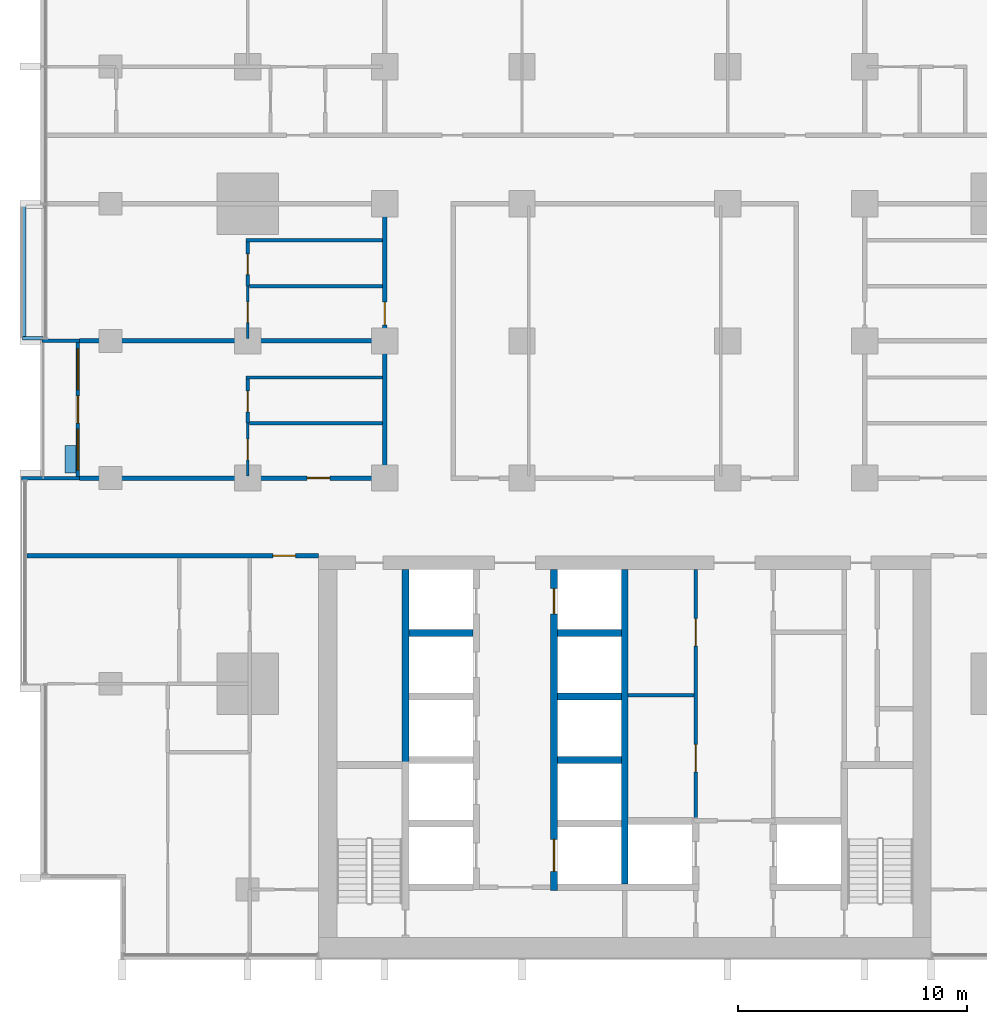
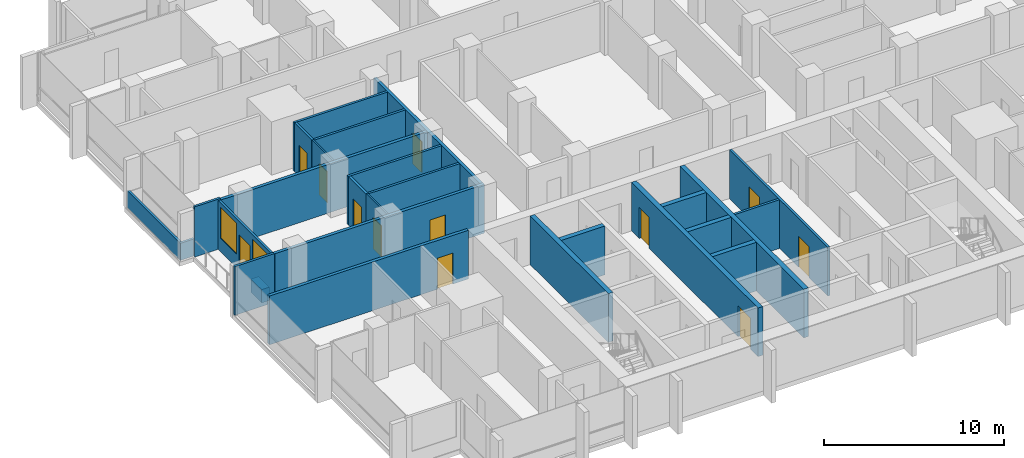
# One storey, part 8 of 17: 27 walls, 12 doors, 2 windows, 14 openings.
"""IFC4 building model written with IfcOpenShell, lengths in metres."""

from ifc_helpers import new_model, si_unit, direction, frame, frame_2d, origin, place, context, subcontext, project, spatial, rectangle, extrude, material, layer, layer_set, type_object, element, fill, save


model = new_model("IFC4")

# Units and contexts
model_context = context("Model", 3, precision=1e-05, world=origin(), true_north=direction((0.0, 1.0)))
body_context = subcontext(model_context, "Body", "Model", "MODEL_VIEW")
ifc_project = project(units=[si_unit("LENGTHUNIT", "METRE"), si_unit("AREAUNIT", "SQUARE_METRE"), si_unit("VOLUMEUNIT", "CUBIC_METRE"), si_unit("PLANEANGLEUNIT", "RADIAN"), si_unit("MASSUNIT", "GRAM", prefix="KILO")], contexts=[model_context])

# Site, building, storey
site_placement = place(None, origin())
site = spatial("IfcSite", under=ifc_project, at=site_placement, CompositionType="ELEMENT")
building_placement = place(site_placement, origin())
building = spatial("IfcBuilding", under=site, at=building_placement, Name="Finial Court Residences", CompositionType="ELEMENT")
storey_placement = place(building_placement, frame((0.0, 0.0, 113.5)))
storey = spatial("IfcBuildingStorey", under=building, at=storey_placement, Name="L28", CompositionType="ELEMENT", Elevation=113.5)

# Walls
ifc_material_1 = material(Name="Gypsum board")
ifc_layer_1 = layer(ifc_material_1, 0.02490234375)
ifc_material_2 = material(Name="Acoustic mineral wool in double frame")
ifc_layer_2 = layer(ifc_material_2, 0.14990234375)
ifc_layer_3 = layer(ifc_material_1, 0.02490234375)
ifc_layer_set_1 = layer_set([ifc_layer_1, ifc_layer_2, ifc_layer_3], Name="Acoustic party wall 200, 1 hour")
wall_type_1 = type_object("IfcWallType", Name="Acoustic party wall 200, 1 hour", PredefinedType="PARTITIONING", material=ifc_layer_set_1)
wall_1_placement = place(storey_placement, frame((-23.85009765625, 1.5, 0.0), z_axis=(0.0, 0.0, 1.0), x_axis=(1.0, 0.0, 0.0)))
element("IfcWall", 1, at=wall_1_placement, inside=storey, type_object=wall_type_1, Name="Partition L28-017", PredefinedType="PARTITIONING", context=body_context, shape_type="SweptSolid", body=[
    extrude(rectangle(XDim=13.25, YDim=0.199951171875, at=frame_2d((6.625, 0.0))), origin(), (0.0, 0.0, 1.0), 3.300048828125),
])
ifc_material_3 = material(Name="Fire-rated gypsum board partition")
ifc_layer_4 = layer(ifc_material_3, 0.14990234375)
ifc_layer_set_2 = layer_set([ifc_layer_4], Name="Core room partition 150 EI 60")
wall_type_2 = type_object("IfcWallType", Name="Core room partition 150 EI 60", PredefinedType="PARTITIONING", material=ifc_layer_set_2)
wall_2_placement = place(storey_placement, frame((0.14990234375, -14.0, 0.0), z_axis=(0.0, 0.0, 1.0), x_axis=(1.0, 0.0, 0.0)))
element("IfcWall", 2, at=wall_2_placement, inside=storey, type_object=wall_type_2, Name="Core partition L28-17", PredefinedType="PARTITIONING", context=body_context, shape_type="SweptSolid", body=[
    extrude(rectangle(XDim=2.875, YDim=0.14990234375, at=frame_2d((1.4375, 0.0))), origin(), (0.0, 0.0, 1.0), 3.300048828125),
])

# Wall, openings, doors
wall_3_placement = place(storey_placement, frame((3.10009765625, -19.39990234375, 0.0), z_axis=(0.0, 0.0, 1.0), x_axis=(0.0, 1.0, 0.0)))
wall_3 = element("IfcWall", 3, at=wall_3_placement, inside=storey, type_object=wall_type_2, Name="Core partition L28-29", PredefinedType="PARTITIONING", context=body_context, shape_type="SweptSolid", body=[
    extrude(rectangle(XDim=10.89990234375, YDim=0.14990234375, at=frame_2d((5.449951171875, 0.0))), origin(), (0.0, 0.0, 1.0), 3.300048828125),
])
opening_1_placement = place(wall_3_placement, frame((2.050048828125, 0.0, 0.0)))
opening_1 = element("IfcOpeningElement", 4, at=opening_1_placement, cuts=wall_3, Name="Opening L28-C12", PredefinedType="OPENING", context=body_context, shape_type="SweptSolid", body=[
    extrude(rectangle(XDim=1.199951171875, YDim=2.10009765625, at=frame_2d((0.60009765625, 1.050048828125))), frame((0.0, 0.0849609375, 0.0), z_axis=(0.0, -1.0, 0.0), x_axis=(1.0, 0.0, 0.0)), (0.0, 0.0, 1.0), 0.169921875),
])
opening_2_placement = place(wall_3_placement, frame((7.550048828125, 0.0, 0.0)))
opening_2 = element("IfcOpeningElement", 5, at=opening_2_placement, cuts=wall_3, Name="Opening L28-C13", PredefinedType="OPENING", context=body_context, shape_type="SweptSolid", body=[
    extrude(rectangle(XDim=1.199951171875, YDim=2.10009765625, at=frame_2d((0.60009765625, 1.050048828125))), frame((0.0, 0.0849609375, 0.0), z_axis=(0.0, -1.0, 0.0), x_axis=(1.0, 0.0, 0.0)), (0.0, 0.0, 1.0), 0.169921875),
])
ifc_material_4 = material(Name="Steel fire door", Category="steel")
door_type_1 = type_object("IfcDoorType", Name="Core room door 1200 x 2100 EI 60", OperationType="NOTDEFINED", PredefinedType="DOOR", material=ifc_material_4)
door_1_placement = place(opening_1_placement, origin())
door_1 = element("IfcDoor", 6, at=door_1_placement, inside=storey, type_object=door_type_1, Name="Core room door L28-C12", OperationType="SINGLE_SWING_LEFT", OverallHeight=2.10009765625, OverallWidth=1.199951171875, PredefinedType="DOOR", context=body_context, shape_type="SweptSolid", body=[
    extrude(rectangle(XDim=1.199951171875, YDim=2.10009765625, at=frame_2d((0.60009765625, 1.050048828125))), frame((0.0, 0.02490234375, 0.0), z_axis=(0.0, -1.0, 0.0), x_axis=(1.0, 0.0, 0.0)), (0.0, 0.0, 1.0), 0.050048828125),
])
fill(opening_1, door_1)
door_2_placement = place(opening_2_placement, origin())
door_2 = element("IfcDoor", 7, at=door_2_placement, inside=storey, type_object=door_type_1, Name="Core room door L28-C13", OperationType="SINGLE_SWING_LEFT", OverallHeight=2.10009765625, OverallWidth=1.199951171875, PredefinedType="DOOR", context=body_context, shape_type="SweptSolid", body=[
    extrude(rectangle(XDim=1.199951171875, YDim=2.10009765625, at=frame_2d((0.60009765625, 1.050048828125))), frame((0.0, 0.02490234375, 0.0), z_axis=(0.0, -1.0, 0.0), x_axis=(1.0, 0.0, 0.0)), (0.0, 0.0, 1.0), 0.050048828125),
])
fill(opening_2, door_2)

# Wall, opening, door
ifc_layer_5 = layer(ifc_material_1, 0.02490234375)
ifc_layer_6 = layer(ifc_material_2, 0.14990234375)
ifc_layer_7 = layer(ifc_material_1, 0.02490234375)
ifc_layer_set_3 = layer_set([ifc_layer_5, ifc_layer_6, ifc_layer_7], Name="Corridor wall 200, 1 hour")
wall_type_3 = type_object("IfcWallType", Name="Corridor wall 200, 1 hour", PredefinedType="PARTITIONING", material=ifc_layer_set_3)
wall_4_placement = place(storey_placement, frame((-26.14990234375, -7.89990234375, 0.0), z_axis=(0.0, 0.0, 1.0), x_axis=(1.0, 0.0, 0.0)))
wall_4 = element("IfcWall", 8, at=wall_4_placement, inside=storey, type_object=wall_type_3, Name="Partition L28-008", PredefinedType="PARTITIONING", context=body_context, shape_type="SweptSolid", body=[
    extrude(rectangle(XDim=12.75, YDim=0.199951171875, at=frame_2d((6.375, 0.0))), origin(), (0.0, 0.0, 1.0), 3.300048828125),
])
opening_3_placement = place(wall_4_placement, frame((10.75, 0.0, 0.0)))
opening_3 = element("IfcOpeningElement", 9, at=opening_3_placement, cuts=wall_4, Name="Opening L28-D005", PredefinedType="OPENING", context=body_context, shape_type="SweptSolid", body=[
    extrude(rectangle(XDim=1.0, YDim=2.10009765625, at=frame_2d((0.5, 1.050048828125))), frame((0.0, 0.10986328125, 0.0), z_axis=(0.0, -1.0, 0.0), x_axis=(1.0, 0.0, 0.0)), (0.0, 0.0, 1.0), 0.219970703125),
])
ifc_material_5 = material(Name="Timber door leaf in hollow metal frame", Category="wood")
door_type_2 = type_object("IfcDoorType", Name="Fire door set 1000 x 2100, 30 minutes", OperationType="SINGLE_SWING_LEFT", PredefinedType="DOOR", material=ifc_material_5)
door_3_placement = place(opening_3_placement, origin())
door_3 = element("IfcDoor", 10, at=door_3_placement, inside=storey, type_object=door_type_2, Name="Door L28-D005", OperationType="SINGLE_SWING_RIGHT", OverallHeight=2.10009765625, OverallWidth=1.0, PredefinedType="DOOR", context=body_context, shape_type="SweptSolid", body=[
    extrude(rectangle(XDim=1.0, YDim=2.10009765625, at=frame_2d((0.5, 1.050048828125))), frame((0.0, 0.02490234375, 0.0), z_axis=(0.0, -1.0, 0.0), x_axis=(1.0, 0.0, 0.0)), (0.0, 0.0, 1.0), 0.050048828125),
])
fill(opening_3, door_3)

wall_5_placement = place(storey_placement, frame((-23.85009765625, -4.5, 0.0), z_axis=(0.0, 0.0, 1.0), x_axis=(1.0, 0.0, 0.0)))
wall_5 = element("IfcWall", 11, at=wall_5_placement, inside=storey, type_object=wall_type_3, Name="Partition L28-010", PredefinedType="PARTITIONING", context=body_context, shape_type="SweptSolid", body=[
    extrude(rectangle(XDim=13.4501953125, YDim=0.199951171875, at=frame_2d((6.72509765625, 0.0))), origin(), (0.0, 0.0, 1.0), 3.300048828125),
])
opening_4_placement = place(wall_5_placement, frame((9.949951171875, 0.0, 0.0)))
opening_4 = element("IfcOpeningElement", 12, at=opening_4_placement, cuts=wall_5, Name="Opening L28-D007", PredefinedType="OPENING", context=body_context, shape_type="SweptSolid", body=[
    extrude(rectangle(XDim=1.0, YDim=2.10009765625, at=frame_2d((0.5, 1.050048828125))), frame((0.0, 0.10986328125, 0.0), z_axis=(0.0, -1.0, 0.0), x_axis=(1.0, 0.0, 0.0)), (0.0, 0.0, 1.0), 0.219970703125),
])
door_4_placement = place(opening_4_placement, origin())
door_4 = element("IfcDoor", 13, at=door_4_placement, inside=storey, type_object=door_type_2, Name="Door L28-D007", OperationType="SINGLE_SWING_LEFT", OverallHeight=2.10009765625, OverallWidth=1.0, PredefinedType="DOOR", context=body_context, shape_type="SweptSolid", body=[
    extrude(rectangle(XDim=1.0, YDim=2.10009765625, at=frame_2d((0.5, 1.050048828125))), frame((0.0, 0.02490234375, 0.0), z_axis=(0.0, -1.0, 0.0), x_axis=(1.0, 0.0, 0.0)), (0.0, 0.0, 1.0), 0.050048828125),
])
fill(opening_4, door_4)

wall_6_placement = place(storey_placement, frame((-10.5, -4.39990234375, 0.0), z_axis=(0.0, 0.0, 1.0), x_axis=(0.0, 1.0, 0.0)))
wall_6 = element("IfcWall", 14, at=wall_6_placement, inside=storey, type_object=wall_type_3, Name="Partition L28-051", PredefinedType="PARTITIONING", context=body_context, shape_type="SweptSolid", body=[
    extrude(rectangle(XDim=11.7998046875, YDim=0.199951171875, at=frame_2d((5.89990234375, 0.0))), origin(), (0.0, 0.0, 1.0), 3.300048828125),
])
opening_5_placement = place(wall_6_placement, frame((6.60009765625, 0.0, 0.0)))
opening_5 = element("IfcOpeningElement", 15, at=opening_5_placement, cuts=wall_6, Name="Opening L28-D035", PredefinedType="OPENING", context=body_context, shape_type="SweptSolid", body=[
    extrude(rectangle(XDim=1.0, YDim=2.10009765625, at=frame_2d((0.5, 1.050048828125))), frame((0.0, 0.10986328125, 0.0), z_axis=(0.0, -1.0, 0.0), x_axis=(1.0, 0.0, 0.0)), (0.0, 0.0, 1.0), 0.219970703125),
])
door_5_placement = place(opening_5_placement, origin())
door_5 = element("IfcDoor", 16, at=door_5_placement, inside=storey, type_object=door_type_2, Name="Door L28-D035", OperationType="SINGLE_SWING_LEFT", OverallHeight=2.10009765625, OverallWidth=1.0, PredefinedType="DOOR", context=body_context, shape_type="SweptSolid", body=[
    extrude(rectangle(XDim=1.0, YDim=2.10009765625, at=frame_2d((0.5, 1.050048828125))), frame((0.0, 0.02490234375, 0.0), z_axis=(0.0, -1.0, 0.0), x_axis=(1.0, 0.0, 0.0)), (0.0, 0.0, 1.0), 0.050048828125),
])
fill(opening_5, door_5)

ifc_layer_8 = layer(ifc_material_1, 0.012451171875)
ifc_material_6 = material(Name="Mineral wool in light-gauge frame")
ifc_layer_9 = layer(ifc_material_6, 0.074951171875)
ifc_layer_10 = layer(ifc_material_1, 0.012451171875)
ifc_layer_set_4 = layer_set([ifc_layer_8, ifc_layer_9, ifc_layer_10], Name="Gypsum board partition 100")
wall_type_4 = type_object("IfcWallType", Name="Gypsum board partition 100", PredefinedType="PARTITIONING", material=ifc_layer_set_4)
wall_7_placement = place(storey_placement, frame((-16.5, -4.39990234375, 0.0), z_axis=(0.0, 0.0, 1.0), x_axis=(0.0, 1.0, 0.0)))
wall_7 = element("IfcWall", 17, at=wall_7_placement, inside=storey, type_object=wall_type_4, Name="Partition L28-041", PredefinedType="PARTITIONING", context=body_context, shape_type="SweptSolid", body=[
    extrude(rectangle(XDim=2.2998046875, YDim=0.10009765625, at=frame_2d((1.14990234375, 0.0))), origin(), (0.0, 0.0, 1.0), 3.300048828125),
])
opening_6_placement = place(wall_7_placement, frame((0.699951171875, 0.0, 0.0)))
opening_6 = element("IfcOpeningElement", 18, at=opening_6_placement, cuts=wall_7, Name="Opening L28-D027", PredefinedType="OPENING", context=body_context, shape_type="SweptSolid", body=[
    extrude(rectangle(XDim=0.89990234375, YDim=2.10009765625, at=frame_2d((0.449951171875, 1.050048828125))), frame((0.0, 0.06005859375, 0.0), z_axis=(0.0, -1.0, 0.0), x_axis=(1.0, 0.0, 0.0)), (0.0, 0.0, 1.0), 0.1201171875),
])
ifc_material_7 = material(Name="Timber door leaf in timber frame", Category="wood")
door_type_3 = type_object("IfcDoorType", Name="Door set 900 x 2100", OperationType="SINGLE_SWING_LEFT", PredefinedType="DOOR", material=ifc_material_7)
door_6_placement = place(opening_6_placement, origin())
door_6 = element("IfcDoor", 19, at=door_6_placement, inside=storey, type_object=door_type_3, Name="Door L28-D027", OperationType="SINGLE_SWING_RIGHT", OverallHeight=2.10009765625, OverallWidth=0.89990234375, PredefinedType="DOOR", context=body_context, shape_type="SweptSolid", body=[
    extrude(rectangle(XDim=0.89990234375, YDim=2.10009765625, at=frame_2d((0.449951171875, 1.050048828125))), frame((0.0, 0.02490234375, 0.0), z_axis=(0.0, -1.0, 0.0), x_axis=(1.0, 0.0, 0.0)), (0.0, 0.0, 1.0), 0.050048828125),
])
fill(opening_6, door_6)

wall_8_placement = place(storey_placement, frame((-16.5, 1.60009765625, 0.0), z_axis=(0.0, 0.0, 1.0), x_axis=(0.0, 1.0, 0.0)))
wall_8 = element("IfcWall", 20, at=wall_8_placement, inside=storey, type_object=wall_type_4, Name="Partition L28-042", PredefinedType="PARTITIONING", context=body_context, shape_type="SweptSolid", body=[
    extrude(rectangle(XDim=2.2998046875, YDim=0.10009765625, at=frame_2d((1.14990234375, 0.0))), origin(), (0.0, 0.0, 1.0), 3.300048828125),
])
opening_7_placement = place(wall_8_placement, frame((0.699951171875, 0.0, 0.0)))
opening_7 = element("IfcOpeningElement", 21, at=opening_7_placement, cuts=wall_8, Name="Opening L28-D028", PredefinedType="OPENING", context=body_context, shape_type="SweptSolid", body=[
    extrude(rectangle(XDim=0.89990234375, YDim=2.10009765625, at=frame_2d((0.449951171875, 1.050048828125))), frame((0.0, 0.06005859375, 0.0), z_axis=(0.0, -1.0, 0.0), x_axis=(1.0, 0.0, 0.0)), (0.0, 0.0, 1.0), 0.1201171875),
])
door_7_placement = place(opening_7_placement, origin())
door_7 = element("IfcDoor", 22, at=door_7_placement, inside=storey, type_object=door_type_3, Name="Door L28-D028", OperationType="SINGLE_SWING_RIGHT", OverallHeight=2.10009765625, OverallWidth=0.89990234375, PredefinedType="DOOR", context=body_context, shape_type="SweptSolid", body=[
    extrude(rectangle(XDim=0.89990234375, YDim=2.10009765625, at=frame_2d((0.449951171875, 1.050048828125))), frame((0.0, 0.02490234375, 0.0), z_axis=(0.0, -1.0, 0.0), x_axis=(1.0, 0.0, 0.0)), (0.0, 0.0, 1.0), 0.050048828125),
])
fill(opening_7, door_7)

# Walls
ifc_material_8 = material(Name="Moisture-resistant gypsum board")
ifc_layer_11 = layer(ifc_material_8, 0.012451171875)
ifc_layer_12 = layer(ifc_material_6, 0.125)
ifc_layer_13 = layer(ifc_material_8, 0.012451171875)
ifc_layer_set_5 = layer_set([ifc_layer_11, ifc_layer_12, ifc_layer_13], Name="Gypsum board wet-area partition 150")
wall_type_5 = type_object("IfcWallType", Name="Gypsum board wet-area partition 150", PredefinedType="PARTITIONING", material=ifc_layer_set_5)
wall_9_placement = place(storey_placement, frame((-16.425048828125, -2.10009765625, 0.0), z_axis=(0.0, 0.0, 1.0), x_axis=(1.0, 0.0, 0.0)))
element("IfcWall", 23, at=wall_9_placement, inside=storey, type_object=wall_type_5, Name="Partition L28-013", PredefinedType="PARTITIONING", context=body_context, shape_type="SweptSolid", body=[
    extrude(rectangle(XDim=5.824951171875, YDim=0.14990234375, at=frame_2d((2.91259765625, 0.0))), origin(), (0.0, 0.0, 1.0), 3.300048828125),
])
wall_10_placement = place(storey_placement, frame((-16.574951171875, -0.10009765625, 0.0), z_axis=(0.0, 0.0, 1.0), x_axis=(1.0, 0.0, 0.0)))
element("IfcWall", 24, at=wall_10_placement, inside=storey, type_object=wall_type_5, Name="Partition L28-015", PredefinedType="PARTITIONING", context=body_context, shape_type="SweptSolid", body=[
    extrude(rectangle(XDim=5.974853515625, YDim=0.14990234375, at=frame_2d((2.9873046875, 0.0))), origin(), (0.0, 0.0, 1.0), 3.300048828125),
])
wall_11_placement = place(storey_placement, frame((-16.425048828125, 3.89990234375, 0.0), z_axis=(0.0, 0.0, 1.0), x_axis=(1.0, 0.0, 0.0)))
element("IfcWall", 25, at=wall_11_placement, inside=storey, type_object=wall_type_5, Name="Partition L28-019", PredefinedType="PARTITIONING", context=body_context, shape_type="SweptSolid", body=[
    extrude(rectangle(XDim=5.824951171875, YDim=0.14990234375, at=frame_2d((2.91259765625, 0.0))), origin(), (0.0, 0.0, 1.0), 3.300048828125),
])
wall_12_placement = place(storey_placement, frame((-16.574951171875, 5.89990234375, 0.0), z_axis=(0.0, 0.0, 1.0), x_axis=(1.0, 0.0, 0.0)))
element("IfcWall", 26, at=wall_12_placement, inside=storey, type_object=wall_type_5, Name="Partition L28-021", PredefinedType="PARTITIONING", context=body_context, shape_type="SweptSolid", body=[
    extrude(rectangle(XDim=5.974853515625, YDim=0.14990234375, at=frame_2d((2.9873046875, 0.0))), origin(), (0.0, 0.0, 1.0), 3.300048828125),
])

# Wall, opening, door
wall_13_placement = place(storey_placement, frame((-16.5, -2.10009765625, 0.0), z_axis=(0.0, 0.0, 1.0), x_axis=(0.0, 1.0, 0.0)))
wall_13 = element("IfcWall", 27, at=wall_13_placement, inside=storey, type_object=wall_type_5, Name="Partition L28-044", PredefinedType="PARTITIONING", context=body_context, shape_type="SweptSolid", body=[
    extrude(rectangle(XDim=1.925048828125, YDim=0.14990234375, at=frame_2d((0.96240234375, 0.0))), origin(), (0.0, 0.0, 1.0), 3.300048828125),
])
opening_8_placement = place(wall_13_placement, frame((0.5, 0.0, 0.0)))
opening_8 = element("IfcOpeningElement", 28, at=opening_8_placement, cuts=wall_13, Name="Opening L28-D030", PredefinedType="OPENING", context=body_context, shape_type="SweptSolid", body=[
    extrude(rectangle(XDim=0.89990234375, YDim=2.10009765625, at=frame_2d((0.449951171875, 1.050048828125))), frame((0.0, 0.0849609375, 0.0), z_axis=(0.0, -1.0, 0.0), x_axis=(1.0, 0.0, 0.0)), (0.0, 0.0, 1.0), 0.169921875),
])
door_8_placement = place(opening_8_placement, origin())
door_8 = element("IfcDoor", 29, at=door_8_placement, inside=storey, type_object=door_type_3, Name="Door L28-D030", OperationType="SINGLE_SWING_LEFT", OverallHeight=2.10009765625, OverallWidth=0.89990234375, PredefinedType="DOOR", context=body_context, shape_type="SweptSolid", body=[
    extrude(rectangle(XDim=0.89990234375, YDim=2.10009765625, at=frame_2d((0.449951171875, 1.050048828125))), frame((0.0, 0.02490234375, 0.0), z_axis=(0.0, -1.0, 0.0), x_axis=(1.0, 0.0, 0.0)), (0.0, 0.0, 1.0), 0.050048828125),
])
fill(opening_8, door_8)

wall_14_placement = place(storey_placement, frame((-16.5, 3.89990234375, 0.0), z_axis=(0.0, 0.0, 1.0), x_axis=(0.0, 1.0, 0.0)))
wall_14 = element("IfcWall", 30, at=wall_14_placement, inside=storey, type_object=wall_type_5, Name="Partition L28-045", PredefinedType="PARTITIONING", context=body_context, shape_type="SweptSolid", body=[
    extrude(rectangle(XDim=1.925048828125, YDim=0.14990234375, at=frame_2d((0.96240234375, 0.0))), origin(), (0.0, 0.0, 1.0), 3.300048828125),
])
opening_9_placement = place(wall_14_placement, frame((0.5, 0.0, 0.0)))
opening_9 = element("IfcOpeningElement", 31, at=opening_9_placement, cuts=wall_14, Name="Opening L28-D031", PredefinedType="OPENING", context=body_context, shape_type="SweptSolid", body=[
    extrude(rectangle(XDim=0.89990234375, YDim=2.10009765625, at=frame_2d((0.449951171875, 1.050048828125))), frame((0.0, 0.0849609375, 0.0), z_axis=(0.0, -1.0, 0.0), x_axis=(1.0, 0.0, 0.0)), (0.0, 0.0, 1.0), 0.169921875),
])
door_9_placement = place(opening_9_placement, origin())
door_9 = element("IfcDoor", 32, at=door_9_placement, inside=storey, type_object=door_type_3, Name="Door L28-D031", OperationType="SINGLE_SWING_RIGHT", OverallHeight=2.10009765625, OverallWidth=0.89990234375, PredefinedType="DOOR", context=body_context, shape_type="SweptSolid", body=[
    extrude(rectangle(XDim=0.89990234375, YDim=2.10009765625, at=frame_2d((0.449951171875, 1.050048828125))), frame((0.0, 0.02490234375, 0.0), z_axis=(0.0, -1.0, 0.0), x_axis=(1.0, 0.0, 0.0)), (0.0, 0.0, 1.0), 0.050048828125),
])
fill(opening_9, door_9)

# Walls
ifc_material_9 = material(Name="Concrete C35/45", Category="concrete")
ifc_layer_14 = layer(ifc_material_9, 0.14990234375)
ifc_layer_set_6 = layer_set([ifc_layer_14], Name="Ledge parapet, Concrete C35/45 150")
wall_type_6 = type_object("IfcWallType", Name="Ledge parapet, Concrete C35/45 150", PredefinedType="PARAPET", material=ifc_layer_set_6)
wall_15_placement = place(storey_placement, frame((-25.4599609375, 1.625, 0.0), z_axis=(0.0, 0.0, 1.0), x_axis=(-1.0, 0.0, 0.0)))
element("IfcWall", 33, at=wall_15_placement, inside=storey, type_object=wall_type_6, Name="E-L28-LED1-P1", PredefinedType="PARAPET", context=body_context, shape_type="SweptSolid", body=[
    extrude(rectangle(XDim=0.89013671875, YDim=0.14990234375, at=frame_2d((0.445068359375, 0.0))), origin(), (0.0, 0.0, 1.0), 1.14990234375),
])
wall_16_placement = place(storey_placement, frame((-26.27490234375, 1.699951171875, 0.0), z_axis=(0.0, 0.0, 1.0), x_axis=(0.0, 1.0, 0.0)))
element("IfcWall", 34, at=wall_16_placement, inside=storey, type_object=wall_type_6, Name="E-L28-LED1-P2", PredefinedType="PARAPET", context=body_context, shape_type="SweptSolid", body=[
    extrude(rectangle(XDim=5.75, YDim=0.14990234375, at=frame_2d((2.875, 0.0))), origin(), (0.0, 0.0, 1.0), 1.14990234375),
])
ifc_material_10 = material(Name="Concrete C70/85", Category="concrete")
ifc_layer_15 = layer(ifc_material_10, 0.300048828125)
ifc_layer_set_7 = layer_set([ifc_layer_15], Name="Lift shaft and stair wall 300 Concrete C70/85")
wall_type_7 = type_object("IfcWallType", Name="Lift shaft and stair wall 300 Concrete C70/85", PredefinedType="SHEAR", material=ifc_layer_set_7)
for number, where, z_axis, x_axis, name in (
    (35, (-2.949951171875, -16.840087890625, 0.0), (0.0, 0.0, 1.0), (1.0, 0.0, 0.0), "Core wall L28-13"),
    (36, (-2.949951171875, -14.06005859375, 0.0), (0.0, 0.0, 1.0), (1.0, 0.0, 0.0), "Core wall L28-16"),
    (37, (-9.449951171875, -11.280029296875, 0.0), (0.0, 0.0, 1.0), (1.0, 0.0, 0.0), "Core wall L28-18"),
    (38, (-2.949951171875, -11.280029296875, 0.0), (0.0, 0.0, 1.0), (1.0, 0.0, 0.0), "Core wall L28-19"),
):
    element("IfcWall", number, at=place(storey_placement, frame(where, z_axis=z_axis, x_axis=x_axis)), inside=storey, type_object=wall_type_7, Name=name, PredefinedType="SHEAR", context=body_context, shape_type="SweptSolid", body=[
        extrude(rectangle(XDim=2.800048828125, YDim=0.300048828125, at=frame_2d((1.39990234375, 0.0))), origin(), (0.0, 0.0, 1.0), 3.300048828125),
    ])
wall_17_placement = place(storey_placement, frame((-9.60009765625, -17.199951171875, 0.0), z_axis=(0.0, 0.0, 1.0), x_axis=(0.0, 1.0, 0.0)))
element("IfcWall", 39, at=wall_17_placement, inside=storey, type_object=wall_type_7, Name="Core wall L28-22", PredefinedType="SHEAR", context=body_context, shape_type="SweptSolid", body=[
    extrude(rectangle(XDim=8.699951171875, YDim=0.300048828125, at=frame_2d((4.35009765625, 0.0))), origin(), (0.0, 0.0, 1.0), 3.300048828125),
])

# Wall, openings, doors
wall_18_placement = place(storey_placement, frame((-3.10009765625, -22.550048828125, 0.0), z_axis=(0.0, 0.0, 1.0), x_axis=(0.0, 1.0, 0.0)))
wall_18 = element("IfcWall", 40, at=wall_18_placement, inside=storey, type_object=wall_type_7, Name="Core wall L28-24", PredefinedType="SHEAR", context=body_context, shape_type="SweptSolid", body=[
    extrude(rectangle(XDim=14.050048828125, YDim=0.300048828125, at=frame_2d((7.02490234375, 0.0))), origin(), (0.0, 0.0, 1.0), 3.300048828125),
])
opening_10_placement = place(wall_18_placement, frame((12.110107421875, 0.0, 0.0)))
opening_10 = element("IfcOpeningElement", 41, at=opening_10_placement, cuts=wall_18, Name="Opening L28-LD08", PredefinedType="OPENING", context=body_context, shape_type="SweptSolid", body=[
    extrude(rectangle(XDim=1.10009765625, YDim=2.10009765625, at=frame_2d((0.550048828125, 1.050048828125))), frame((0.0, 0.159912109375, 0.0), z_axis=(0.0, -1.0, 0.0), x_axis=(1.0, 0.0, 0.0)), (0.0, 0.0, 1.0), 0.320068359375),
])
opening_11_placement = place(wall_18_placement, frame((0.840087890625, 0.0, 0.0)))
opening_11 = element("IfcOpeningElement", 42, at=opening_11_placement, cuts=wall_18, Name="Opening L28-LD09", PredefinedType="OPENING", context=body_context, shape_type="SweptSolid", body=[
    extrude(rectangle(XDim=1.39990234375, YDim=2.10009765625, at=frame_2d((0.699951171875, 1.050048828125))), frame((0.0, 0.159912109375, 0.0), z_axis=(0.0, -1.0, 0.0), x_axis=(1.0, 0.0, 0.0)), (0.0, 0.0, 1.0), 0.320068359375),
])
ifc_material_11 = material(Name="Stainless steel lift door", Category="steel")
door_type_4 = type_object("IfcDoorType", Name="Lift landing door 1100 x 2100 EI 90", OperationType="DOUBLE_DOOR_SLIDING", PredefinedType="DOOR", material=ifc_material_11)
door_10_placement = place(opening_10_placement, origin())
door_10 = element("IfcDoor", 43, at=door_10_placement, inside=storey, type_object=door_type_4, Name="Lift landing door LR6 L28", OperationType="DOUBLE_DOOR_SLIDING", OverallHeight=2.10009765625, OverallWidth=1.10009765625, PredefinedType="DOOR", context=body_context, shape_type="SweptSolid", body=[
    extrude(rectangle(XDim=1.10009765625, YDim=2.10009765625, at=frame_2d((0.550048828125, 1.050048828125))), frame((0.0, 0.02490234375, 0.0), z_axis=(0.0, -1.0, 0.0), x_axis=(1.0, 0.0, 0.0)), (0.0, 0.0, 1.0), 0.050048828125),
])
fill(opening_10, door_10)
door_type_5 = type_object("IfcDoorType", Name="Lift landing door 1400 x 2100 EI 90", OperationType="DOUBLE_DOOR_SLIDING", PredefinedType="DOOR", material=ifc_material_11)
door_11_placement = place(opening_11_placement, origin())
door_11 = element("IfcDoor", 44, at=door_11_placement, inside=storey, type_object=door_type_5, Name="Lift landing door SV1 L28", OperationType="DOUBLE_DOOR_SLIDING", OverallHeight=2.10009765625, OverallWidth=1.39990234375, PredefinedType="DOOR", context=body_context, shape_type="SweptSolid", body=[
    extrude(rectangle(XDim=1.39990234375, YDim=2.10009765625, at=frame_2d((0.699951171875, 1.050048828125))), frame((0.0, 0.02490234375, 0.0), z_axis=(0.0, -1.0, 0.0), x_axis=(1.0, 0.0, 0.0)), (0.0, 0.0, 1.0), 0.050048828125),
])
fill(opening_11, door_11)

# Walls
wall_19_placement = place(storey_placement, frame((0.0, -22.25, 0.0), z_axis=(0.0, 0.0, 1.0), x_axis=(0.0, 1.0, 0.0)))
element("IfcWall", 45, at=wall_19_placement, inside=storey, type_object=wall_type_7, Name="Core wall L28-26", PredefinedType="SHEAR", context=body_context, shape_type="SweptSolid", body=[
    extrude(rectangle(XDim=13.75, YDim=0.300048828125, at=frame_2d((6.875, 0.0))), origin(), (0.0, 0.0, 1.0), 3.300048828125),
])
ifc_material_12 = material(Name="Natural limestone", Category="masonry")
ifc_layer_16 = layer(ifc_material_12, 0.14990234375)
ifc_layer_set_8 = layer_set([ifc_layer_16], Name="Limestone clad wall 150")
wall_type_8 = type_object("IfcWallType", Name="Limestone clad wall 150", PredefinedType="SOLIDWALL", material=ifc_layer_set_8)
wall_20_placement = place(storey_placement, frame((-23.85009765625, -4.5, 0.0), z_axis=(0.0, 0.0, 1.0), x_axis=(-1.0, 0.0, 0.0)))
element("IfcWall", 46, at=wall_20_placement, inside=storey, type_object=wall_type_8, Name="E-L28-BALW3-P1", PredefinedType="SOLIDWALL", context=body_context, shape_type="SweptSolid", body=[
    extrude(rectangle(XDim=2.5498046875, YDim=0.14990234375, at=frame_2d((1.27490234375, 0.0))), origin(), (0.0, 0.0, 1.0), 3.300048828125),
])
wall_21_placement = place(storey_placement, frame((-23.85009765625, 1.5, 0.0), z_axis=(0.0, 0.0, 1.0), x_axis=(-1.0, 0.0, 0.0)))
element("IfcWall", 47, at=wall_21_placement, inside=storey, type_object=wall_type_8, Name="E-L28-BALW3-P2", PredefinedType="SOLIDWALL", context=body_context, shape_type="SweptSolid", body=[
    extrude(rectangle(XDim=1.64990234375, YDim=0.14990234375, at=frame_2d((0.824951171875, 0.0))), origin(), (0.0, 0.0, 1.0), 3.39990234375),
])

# Wall, openings, door, windows
wall_22_placement = place(storey_placement, frame((-23.925048828125, -4.425048828125, 0.0), z_axis=(0.0, 0.0, 1.0), x_axis=(0.0, 1.0, 0.0)))
wall_22 = element("IfcWall", 48, at=wall_22_placement, inside=storey, type_object=wall_type_8, Name="E-L28-L28-BALW3-W", PredefinedType="SOLIDWALL", context=body_context, shape_type="SweptSolid", body=[
    extrude(rectangle(XDim=5.85009765625, YDim=0.14990234375, at=frame_2d((2.925048828125, 0.0))), origin(), (0.0, 0.0, 1.0), 3.300048828125),
])
opening_12_placement = place(wall_22_placement, frame((2.324951171875, 0.0, 0.0)))
opening_12 = element("IfcOpeningElement", 49, at=opening_12_placement, cuts=wall_22, Name="Opening DE28-03", PredefinedType="OPENING", context=body_context, shape_type="SweptSolid", body=[
    extrude(rectangle(XDim=1.199951171875, YDim=2.39990234375, at=frame_2d((0.60009765625, 1.199951171875))), frame((0.0, 0.0849609375, 0.0), z_axis=(0.0, -1.0, 0.0), x_axis=(1.0, 0.0, 0.0)), (0.0, 0.0, 1.0), 0.169921875),
])
opening_13_placement = place(wall_22_placement, frame((0.262451171875, 0.0, 0.89990234375)))
opening_13 = element("IfcOpeningElement", 50, at=opening_13_placement, cuts=wall_22, Name="Opening WE28-12", PredefinedType="OPENING", context=body_context, shape_type="SweptSolid", body=[
    extrude(rectangle(XDim=1.800048828125, YDim=2.10009765625, at=frame_2d((0.89990234375, 1.050048828125))), frame((0.0, 0.0849609375, 0.0), z_axis=(0.0, -1.0, 0.0), x_axis=(1.0, 0.0, 0.0)), (0.0, 0.0, 1.0), 0.169921875),
])
opening_14_placement = place(wall_22_placement, frame((3.78759765625, 0.0, 0.89990234375)))
opening_14 = element("IfcOpeningElement", 51, at=opening_14_placement, cuts=wall_22, Name="Opening WE28-13", PredefinedType="OPENING", context=body_context, shape_type="SweptSolid", body=[
    extrude(rectangle(XDim=1.800048828125, YDim=2.10009765625, at=frame_2d((0.89990234375, 1.050048828125))), frame((0.0, 0.0849609375, 0.0), z_axis=(0.0, -1.0, 0.0), x_axis=(1.0, 0.0, 0.0)), (0.0, 0.0, 1.0), 0.169921875),
])
ifc_material_13 = material(Name="Bronze anodised aluminium", Category="aluminium")
door_type_6 = type_object("IfcDoorType", Name="Balcony door 1200 x 2400", OperationType="SINGLE_SWING_LEFT", PredefinedType="DOOR", material=ifc_material_13)
door_12_placement = place(opening_12_placement, origin())
door_12 = element("IfcDoor", 52, at=door_12_placement, inside=storey, type_object=door_type_6, Name="E-L28-L28-BALW3-W-D", OperationType="SINGLE_SWING_RIGHT", OverallHeight=2.39990234375, OverallWidth=1.199951171875, PredefinedType="DOOR", context=body_context, shape_type="SweptSolid", body=[
    extrude(rectangle(XDim=1.199951171875, YDim=2.39990234375, at=frame_2d((0.60009765625, 1.199951171875))), frame((0.0, 0.02490234375, 0.0), z_axis=(0.0, -1.0, 0.0), x_axis=(1.0, 0.0, 0.0)), (0.0, 0.0, 1.0), 0.050048828125),
])
fill(opening_12, door_12)
ifc_material_14 = material(Name="Clear low-e glass", Category="glass")
window_type = type_object("IfcWindowType", Name="Balcony window 1800 x 2100", PartitioningType="SINGLE_PANEL", PredefinedType="WINDOW", material=ifc_material_14)
window_1_placement = place(opening_13_placement, origin())
window_1 = element("IfcWindow", 53, at=window_1_placement, inside=storey, type_object=window_type, Name="E-L28-L28-BALW3-W-W1", OverallHeight=2.10009765625, OverallWidth=1.800048828125, PartitioningType="SINGLE_PANEL", PredefinedType="WINDOW", context=body_context, shape_type="SweptSolid", body=[
    extrude(rectangle(XDim=1.800048828125, YDim=2.10009765625, at=frame_2d((0.89990234375, 1.050048828125))), frame((0.0, 0.030029296875, 0.0), z_axis=(0.0, -1.0, 0.0), x_axis=(1.0, 0.0, 0.0)), (0.0, 0.0, 1.0), 0.06005859375),
])
fill(opening_13, window_1)
window_2_placement = place(opening_14_placement, origin())
window_2 = element("IfcWindow", 54, at=window_2_placement, inside=storey, type_object=window_type, Name="E-L28-L28-BALW3-W-W2", OverallHeight=2.10009765625, OverallWidth=1.800048828125, PartitioningType="SINGLE_PANEL", PredefinedType="WINDOW", context=body_context, shape_type="SweptSolid", body=[
    extrude(rectangle(XDim=1.800048828125, YDim=2.10009765625, at=frame_2d((0.89990234375, 1.050048828125))), frame((0.0, 0.030029296875, 0.0), z_axis=(0.0, -1.0, 0.0), x_axis=(1.0, 0.0, 0.0)), (0.0, 0.0, 1.0), 0.06005859375),
])
fill(opening_14, window_2)

# Wall
ifc_material_15 = material(Name="Concrete C40/50", Category="concrete")
ifc_layer_17 = layer(ifc_material_15, 0.10009765625)
ifc_material_16 = material(Name="Planting soil", Category="soil")
ifc_layer_18 = layer(ifc_material_16, 0.300048828125)
ifc_layer_19 = layer(ifc_material_15, 0.10009765625)
ifc_layer_set_9 = layer_set([ifc_layer_17, ifc_layer_18, ifc_layer_19], Name="Planter wall, balcony")
wall_type_9 = type_object("IfcWallType", Name="Planter wall, balcony", PredefinedType="USERDEFINED", material=ifc_layer_set_9)
wall_23_placement = place(storey_placement, frame((-24.25, -4.27490234375, 0.0), z_axis=(0.0, 0.0, 1.0), x_axis=(0.0, 1.0, 0.0)))
element("IfcWall", 55, at=wall_23_placement, inside=storey, type_object=wall_type_9, Name="E-L28-BALW3-PL", ObjectType="PLANTER", PredefinedType="USERDEFINED", context=body_context, shape_type="SweptSolid", body=[
    extrude(rectangle(XDim=1.199951171875, YDim=0.5, at=frame_2d((0.60009765625, 0.0))), origin(), (0.0, 0.0, 1.0), 0.89990234375),
])

save(model, "model.ifc")
